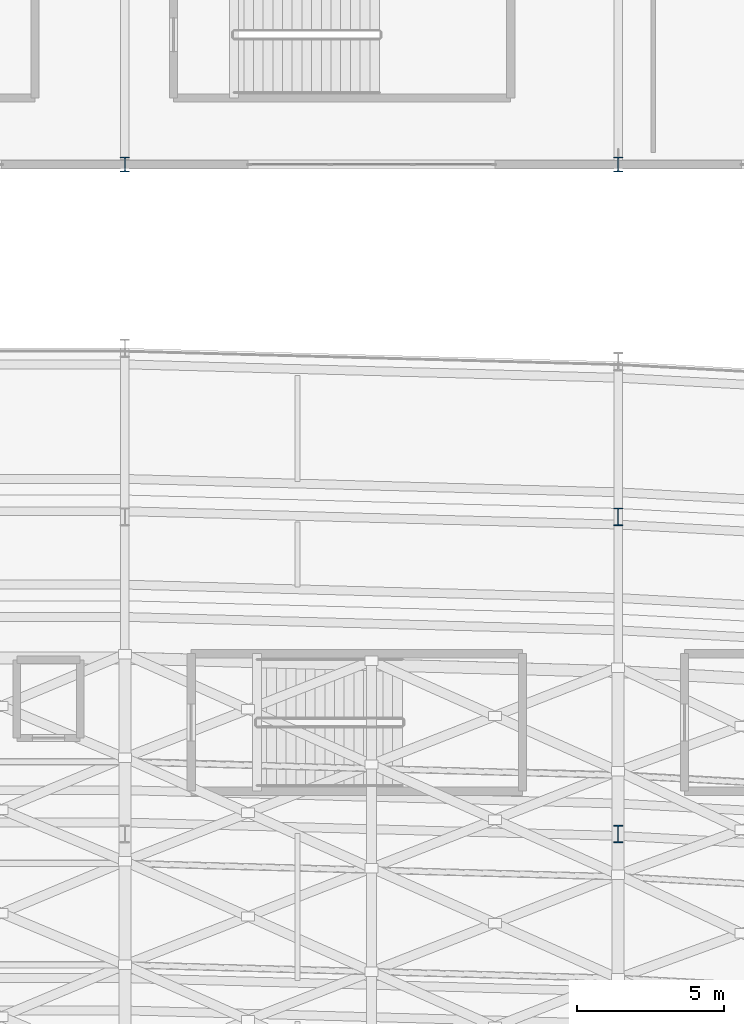
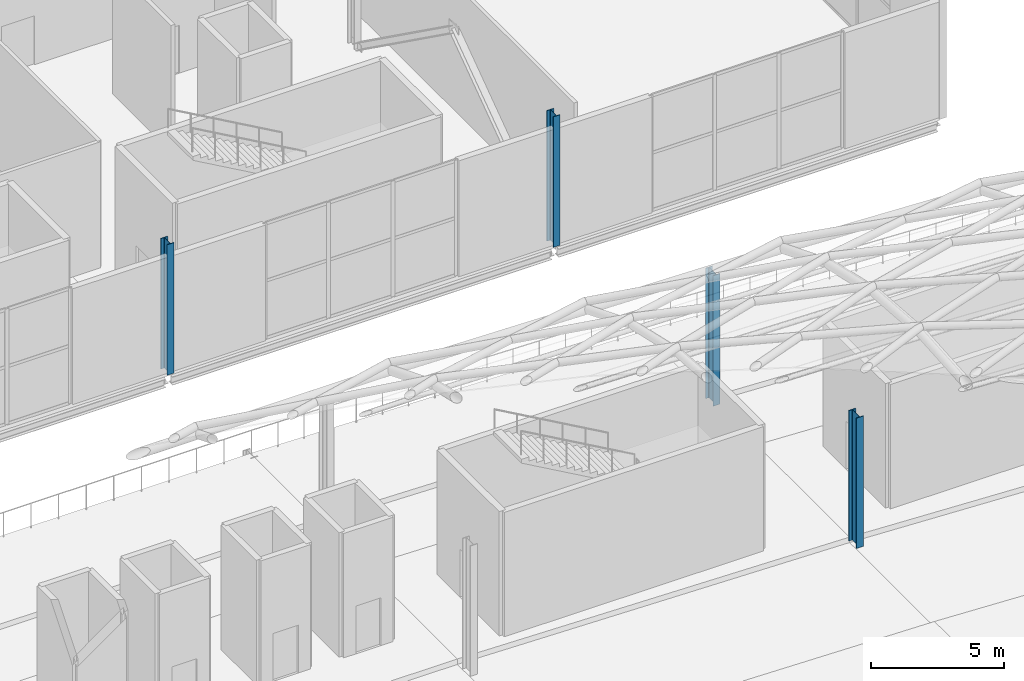
# One storey, part 4 of 100: 4 columns.
"""IFC4 building model written with IfcOpenShell, lengths in metres."""

import ifcopenshell
import ifcopenshell.guid

model = None  # the IFC model being written
_history = None  # IfcOwnerHistory: only IFC2X3 demands one
_inside = {}  # id of a spatial element -> (the spatial element, [elements in it])
_under = {}  # id of a project, library or spatial element -> (it, [spatial elements below it])
_declared = {}  # id of a project -> (the project, [libraries it declares])
_typed = {}  # id of a type object -> (the type object, [elements of that type])
_made_of = {}  # id of a material, layer set ... -> (it, [elements and type objects made of it])


def new_model(schema):
    """Start an empty IFC model of exactly this schema.

    Asked for "IFC4X3", IfcOpenShell would pick the latest addendum, in which some entities
    have other attributes; the version numbers below select the first issue.
    IFC2X3 requires an IfcOwnerHistory on every rooted entity: one is made here for all.
    """
    global model, _history
    if schema == "IFC4X3":
        model = ifcopenshell.file(schema_version=(4, 3, 0, 0))
    else:
        model = ifcopenshell.file(schema=schema)
    _inside.clear()
    _under.clear()
    _declared.clear()
    _typed.clear()
    _made_of.clear()
    _history = None
    if model.schema == "IFC2X3":
        org = make("IfcOrganization", Name="unknown")
        user = make(
            "IfcPersonAndOrganization",
            ThePerson=make("IfcPerson", FamilyName="unknown"),
            TheOrganization=org,
        )
        app = make(
            "IfcApplication",
            ApplicationDeveloper=org,
            Version="unknown",
            ApplicationFullName="unknown",
            ApplicationIdentifier="unknown",
        )
        _history = make(
            "IfcOwnerHistory",
            OwningUser=user,
            OwningApplication=app,
            ChangeAction="ADDED",
            CreationDate=0,
        )
    return model


def make(cls, **values):
    """One entity of the class cls with the attributes given. An attribute that is None is left unset."""
    return model.create_entity(
        cls, **{name: value for name, value in values.items() if value is not None}
    )


def rooted(cls, **values):
    """An entity with a GlobalId (a new one), such as an element, a storey or a relation."""
    return make(cls, GlobalId=ifcopenshell.guid.new(), OwnerHistory=_history, **values)


def si_unit(unit_type, name, prefix=None):
    """IfcSIUnit, for example si_unit("LENGTHUNIT", "METRE", prefix="MILLI")."""
    return make("IfcSIUnit", UnitType=unit_type, Prefix=prefix, Name=name)


def assignment(units):
    """IfcUnitAssignment: the units of a project."""
    return None if units is None else make("IfcUnitAssignment", Units=units)


def point(xyz):
    """IfcCartesianPoint."""
    return None if xyz is None else make("IfcCartesianPoint", Coordinates=xyz)


def direction(xyz):
    """IfcDirection."""
    return None if xyz is None else make("IfcDirection", DirectionRatios=xyz)


def frame(location, z_axis=None, x_axis=None):
    """IfcAxis2Placement3D, a coordinate frame: its origin and axes. An axis left out is left unset."""
    return make(
        "IfcAxis2Placement3D",
        Location=point(location),
        Axis=direction(z_axis),
        RefDirection=direction(x_axis),
    )


def frame_2d(location, x_axis=None):
    """IfcAxis2Placement2D, a coordinate frame in the plane: its origin and x axis."""
    return make(
        "IfcAxis2Placement2D", Location=point(location), RefDirection=direction(x_axis)
    )


def origin():
    """The frame at (0, 0, 0) with its axes left unset."""
    return frame((0.0, 0.0, 0.0))


def origin_2d():
    """The frame at (0, 0) in the plane with its x axis left unset."""
    return frame_2d((0.0, 0.0))


def place(relative_to, where):
    """IfcLocalPlacement: puts the frame where relative to a parent placement (None: the world)."""
    return make(
        "IfcLocalPlacement", PlacementRelTo=relative_to, RelativePlacement=where
    )


def context(
    kind, dimensions, precision=None, world=None, true_north=None, identifier=None
):
    """IfcGeometricRepresentationContext, for example the 3D "Model" context."""
    return make(
        "IfcGeometricRepresentationContext",
        ContextIdentifier=identifier,
        ContextType=kind,
        CoordinateSpaceDimension=dimensions,
        Precision=precision,
        WorldCoordinateSystem=world,
        TrueNorth=true_north,
    )


def subcontext(parent, identifier, kind, view, scale=None):
    """IfcGeometricRepresentationSubContext, for example "Body" below "Model"."""
    return make(
        "IfcGeometricRepresentationSubContext",
        ContextIdentifier=identifier,
        ContextType=kind,
        ParentContext=parent,
        TargetScale=scale,
        TargetView=view,
    )


def project(units=None, contexts=None):
    """IfcProject with its units and contexts."""
    return rooted(
        "IfcProject",
        Name="project",
        RepresentationContexts=contexts,
        UnitsInContext=assignment(units),
    )


def spatial(cls, under=None, at=None, **own):
    """A site, building, storey or space (cls), placed at a placement, below another one or the project."""
    s = rooted(cls, ObjectPlacement=at, **own)
    if under is not None:
        _under.setdefault(under.id(), (under, []))[1].append(s)
    return s


def profile(cls, at=None, kind="AREA", **sizes):
    """A parametric profile (cls). Its sizes go by their IFC names, for example OverallWidth=200.0."""
    return make(cls, ProfileType=kind, Position=at, **sizes)


def i_section(**sizes):
    """IfcIShapeProfileDef."""
    return profile("IfcIShapeProfileDef", **sizes)


def extrude(swept, where, along, depth):
    """IfcExtrudedAreaSolid: the profile swept, set in the frame where, extruded along a direction by depth."""
    return make(
        "IfcExtrudedAreaSolid",
        SweptArea=swept,
        Position=where,
        ExtrudedDirection=direction(along),
        Depth=depth,
    )


def shape(context_of_items, identifier, shape_type, items):
    """IfcShapeRepresentation: the items that make up one representation, for example the "Body"."""
    return make(
        "IfcShapeRepresentation",
        ContextOfItems=context_of_items,
        RepresentationIdentifier=identifier,
        RepresentationType=shape_type,
        Items=items,
    )


def material(Name=None, Category=None):
    """IfcMaterial."""
    return make("IfcMaterial", Name=Name, Category=Category)


def material_profile(
    of_material, cross_section, Name=None, Category=None, Priority=None
):
    """IfcMaterialProfile: a cross section and its material."""
    return make(
        "IfcMaterialProfile",
        Name=Name,
        Material=of_material,
        Profile=cross_section,
        Priority=Priority,
        Category=Category,
    )


def profile_set(profiles, Name=None, composite=None):
    """IfcMaterialProfileSet."""
    return make(
        "IfcMaterialProfileSet",
        Name=Name,
        MaterialProfiles=profiles,
        CompositeProfile=composite,
    )


def made_of(thing, what):
    """Note that an element or type object is made of a material, layer set ...; save() writes the relation."""
    if what is not None:
        _made_of.setdefault(what.id(), (what, []))[1].append(thing)
    return thing


def type_object(cls, material=None, **own):
    """A type object (cls), such as IfcWallType, which elements share."""
    return made_of(rooted(cls, **own), material)


def element(
    cls,
    number,
    at=None,
    inside=None,
    cuts=None,
    type_object=None,
    material=None,
    context=None,
    identifier="Body",
    shape_type=None,
    held_by="IfcProductDefinitionShape",
    body=None,
    shapes=None,
    **own,
):
    """One element of the class cls, such as IfcWall. Its Tag is "e" and its number.

    at: its placement. inside: the storey or other place that contains it. cuts: it is an
    opening in that element (IfcRelVoidsElement). A single representation is given by context,
    identifier, shape_type and body (its items); several are given by shapes. held_by: the class
    of the entity that holds the representations. save() writes the other relations.
    """
    e = rooted(cls, Tag="e%d" % number, ObjectPlacement=at, **own)
    if body is not None:
        shapes = [shape(context, identifier, shape_type, body)]
    if shapes is not None:
        e.Representation = make(held_by, Representations=shapes)
    if inside is not None:
        _inside.setdefault(inside.id(), (inside, []))[1].append(e)
    if cuts is not None:
        rooted(
            "IfcRelVoidsElement", RelatingBuildingElement=cuts, RelatedOpeningElement=e
        )
    if type_object is not None:
        _typed.setdefault(type_object.id(), (type_object, []))[1].append(e)
    return made_of(e, material)


def aggregate(whole, parts):
    """IfcRelAggregates: a whole, such as a stair, and the parts it consists of."""
    return rooted("IfcRelAggregates", RelatingObject=whole, RelatedObjects=parts)


def save(model, path):
    """Write the relations noted so far, then the file.

    IfcRelAggregates (storeys below a building ...), IfcRelContainedInSpatialStructure (elements
    in a storey), IfcRelDefinesByType, IfcRelAssociatesMaterial and IfcRelDeclares: one each for
    every whole, place, type object, material and project.
    """
    for whole, parts in _under.values():
        aggregate(whole, parts)
    for where, things in _inside.values():
        rooted(
            "IfcRelContainedInSpatialStructure",
            RelatedElements=things,
            RelatingStructure=where,
        )
    for kind, things in _typed.values():
        rooted("IfcRelDefinesByType", RelatedObjects=things, RelatingType=kind)
    for what, things in _made_of.values():
        rooted("IfcRelAssociatesMaterial", RelatedObjects=things, RelatingMaterial=what)
    for by, libraries in _declared.values():
        rooted("IfcRelDeclares", RelatingContext=by, RelatedDefinitions=libraries)
    model.write(path)


model = new_model("IFC4")

# Units and contexts
model_context = context("Model", 3, precision=1e-05, world=origin(), true_north=direction((0.0, 1.0)))
body_context = subcontext(model_context, "Body", "Model", "MODEL_VIEW")
ifc_project = project(units=[si_unit("LENGTHUNIT", "METRE"), si_unit("AREAUNIT", "SQUARE_METRE"), si_unit("VOLUMEUNIT", "CUBIC_METRE"), si_unit("PLANEANGLEUNIT", "RADIAN"), si_unit("MASSUNIT", "GRAM", prefix="KILO")], contexts=[model_context])

# Site, building, storey
site_placement = place(None, origin())
site = spatial("IfcSite", under=ifc_project, at=site_placement, CompositionType="ELEMENT")
building_placement = place(site_placement, origin())
building = spatial("IfcBuilding", under=site, at=building_placement, Name="Kimbaza Rail Terminus", CompositionType="ELEMENT")
storey_placement = place(building_placement, frame((0.0, 0.0, 10.800048828125)))
storey = spatial("IfcBuildingStorey", under=building, at=storey_placement, Name="L02", CompositionType="ELEMENT", Elevation=10.800048828125)

# Columns
ifc_material_1 = material(Name="Steel S355", Category="steel")
ifc_material_profile_1 = material_profile(ifc_material_1, i_section(OverallWidth=0.300048828125, OverallDepth=0.5, WebThickness=0.014404296875, FlangeThickness=0.028076171875, FilletRadius=0.027099609375, at=origin_2d()), Name="HEB 500")
ifc_profile_set_1 = profile_set([ifc_material_profile_1], Name="Steel S355")
column_type_1 = type_object("IfcColumnType", Name="STR-COL-HEB500", PredefinedType="COLUMN", material=ifc_profile_set_1)
for number, where, z_axis, x_axis, name in (
    (1, (122.39990234375, 103.0, 0.0), (0.0, 0.0, 1.0), (1.0, 0.0, 0.0), "Operations Column L02 (4,0)"),
    (2, (139.199951171875, 103.0, 0.0), (0.0, 0.0, 1.0), (1.0, 0.0, 0.0), "Operations Column L02 (5,0)"),
):
    element("IfcColumn", number, at=place(storey_placement, frame(where, z_axis=z_axis, x_axis=x_axis)), inside=storey, type_object=column_type_1, Name=name, PredefinedType="COLUMN", context=body_context, shape_type="SweptSolid", body=[
        extrude(i_section(OverallWidth=0.300048828125, OverallDepth=0.5, WebThickness=0.014404296875, FlangeThickness=0.028076171875, FilletRadius=0.027099609375, at=origin_2d()), origin(), (0.0, 0.0, 1.0), 6.0),
    ])
ifc_material_2 = material(Name="Steel S355", Category="steel")
ifc_material_profile_2 = material_profile(ifc_material_2, i_section(OverallWidth=0.300048828125, OverallDepth=0.60009765625, WebThickness=0.015380859375, FlangeThickness=0.030029296875, FilletRadius=0.027099609375, at=origin_2d()), Name="HEB 600")
ifc_profile_set_2 = profile_set([ifc_material_profile_2], Name="Steel S355")
column_type_2 = type_object("IfcColumnType", Name="STR-COL-HEB600", PredefinedType="COLUMN", material=ifc_profile_set_2)
for number, where, z_axis, x_axis, name in (
    (3, (139.199951171875, 80.199951171875, 0.0), (0.0, 0.0, 1.0), (1.0, 0.0, 0.0), "North Transfer Pier L02 (5,0)"),
    (4, (139.199951171875, 91.0, 0.0), (0.0, 0.0, 1.0), (1.0, 0.0, 0.0), "North Transfer Pier L02 (5,1)"),
):
    element("IfcColumn", number, at=place(storey_placement, frame(where, z_axis=z_axis, x_axis=x_axis)), inside=storey, type_object=column_type_2, Name=name, PredefinedType="COLUMN", context=body_context, shape_type="SweptSolid", body=[
        extrude(i_section(OverallWidth=0.300048828125, OverallDepth=0.60009765625, WebThickness=0.015380859375, FlangeThickness=0.030029296875, FilletRadius=0.027099609375, at=origin_2d()), origin(), (0.0, 0.0, 1.0), 6.0),
    ])

save(model, "model.ifc")
